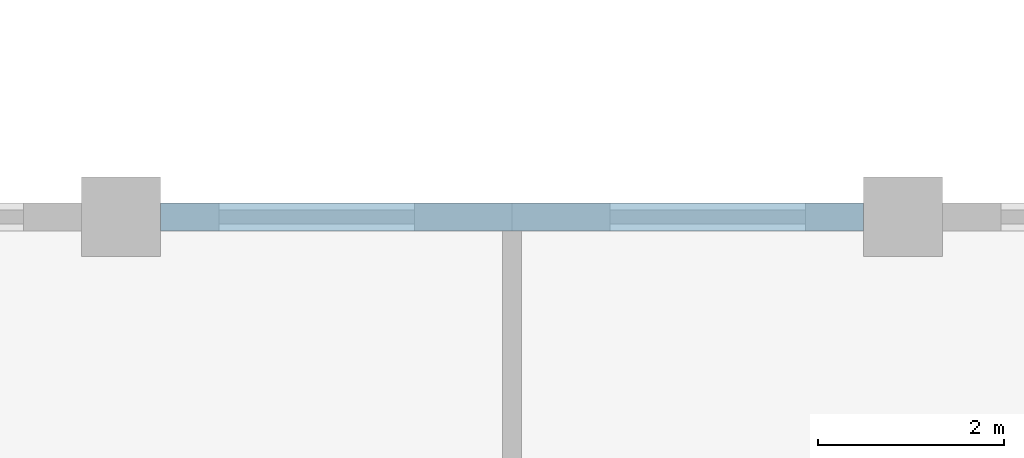
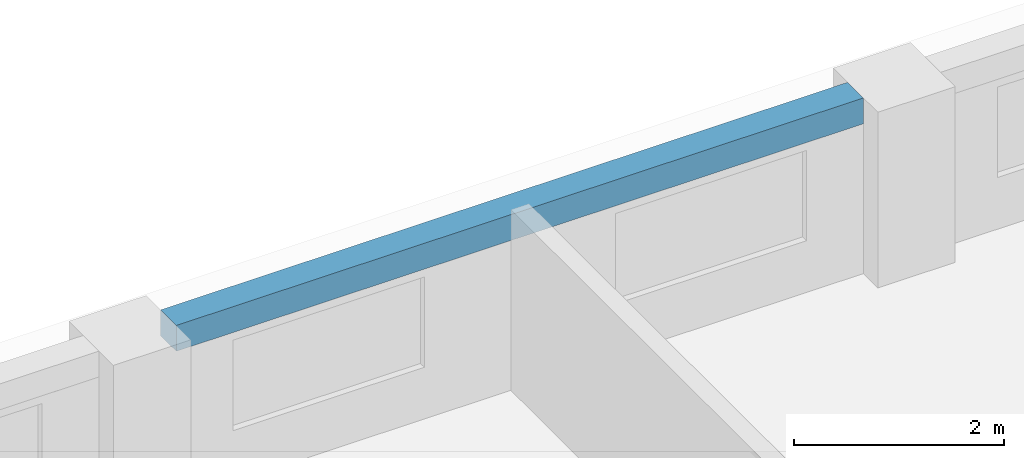
# One storey, part 8 of 48: 1 beam.
"""IFC4 building model written with IfcOpenShell, lengths in metres."""

from ifc_helpers import new_model, si_unit, direction, frame, origin, origin_2d, place, context, subcontext, project, spatial, rectangle, extrude, material, material_profile, profile_set, type_object, element, save


model = new_model("IFC4")

# Units and contexts
model_context = context("Model", 3, precision=1e-05, world=origin(), true_north=direction((0.0, 1.0)))
body_context = subcontext(model_context, "Body", "Model", "MODEL_VIEW")
ifc_project = project(units=[si_unit("LENGTHUNIT", "METRE"), si_unit("AREAUNIT", "SQUARE_METRE"), si_unit("VOLUMEUNIT", "CUBIC_METRE"), si_unit("PLANEANGLEUNIT", "RADIAN"), si_unit("MASSUNIT", "GRAM", prefix="KILO")], contexts=[model_context])

# Site, building, storey
site_placement = place(None, origin())
site = spatial("IfcSite", under=ifc_project, at=site_placement, CompositionType="ELEMENT")
building_placement = place(site_placement, origin())
building = spatial("IfcBuilding", under=site, at=building_placement, Name="Yavir Park General Hospital", CompositionType="ELEMENT")
storey_placement = place(building_placement, frame((0.0, 0.0, 12.89990234375)))
storey = spatial("IfcBuildingStorey", under=building, at=storey_placement, Name="I02", CompositionType="ELEMENT", Elevation=12.89990234375)

# Beam
ifc_material = material(Name="Concrete C35/45", Category="concrete")
ifc_material_profile = material_profile(ifc_material, rectangle(XDim=0.300048828125, YDim=0.300048828125, at=origin_2d()), Name="RC300x300")
ifc_profile_set = profile_set([ifc_material_profile], Name="Concrete C35/45")
beam_type = type_object("IfcBeamType", Name="RC BEAM 300x300 edge beam", PredefinedType="BEAM", material=ifc_profile_set)
beam_placement = place(storey_placement, frame((59.22509765625, 33.60009765625, 1.89013671875), z_axis=(1.0, 0.0, 0.0), x_axis=(0.0, 1.0, 0.0)))
element("IfcBeam", 1, at=beam_placement, inside=storey, type_object=beam_type, Name="B:EDGE:I02:019", PredefinedType="BEAM", context=body_context, shape_type="SweptSolid", body=[
    extrude(rectangle(XDim=0.300048828125, YDim=0.300048828125, at=origin_2d()), origin(), (0.0, 0.0, 1.0), 7.5498046875),
])

save(model, "model.ifc")
